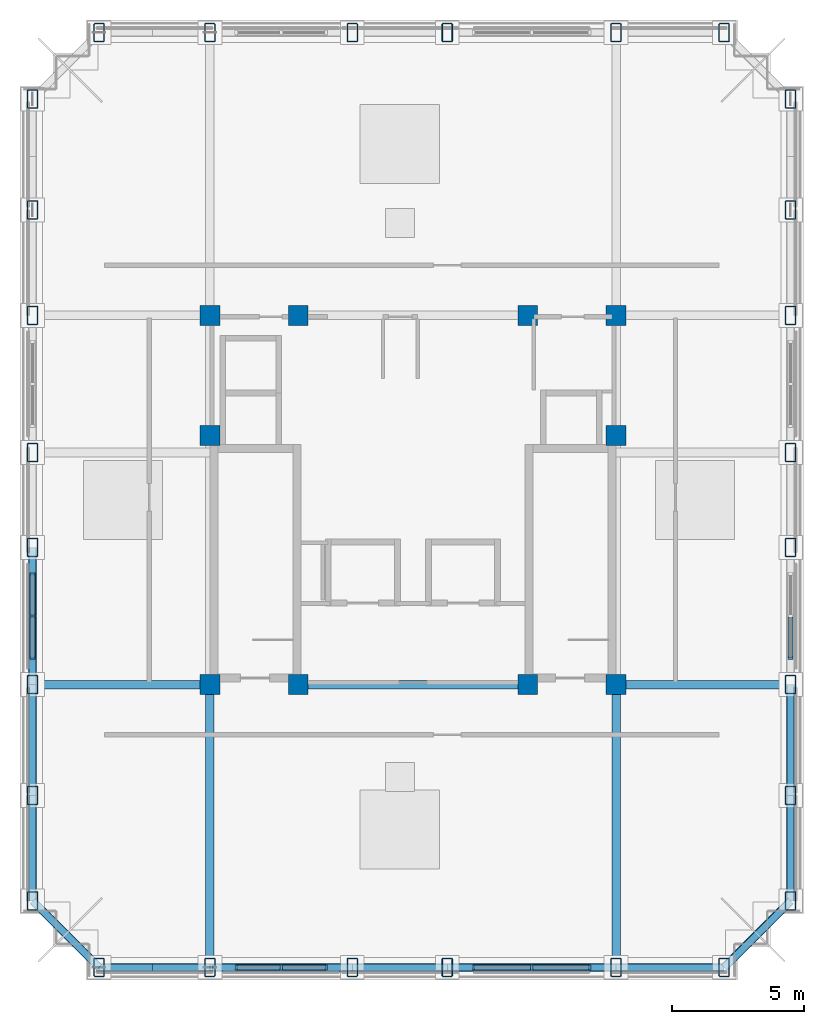
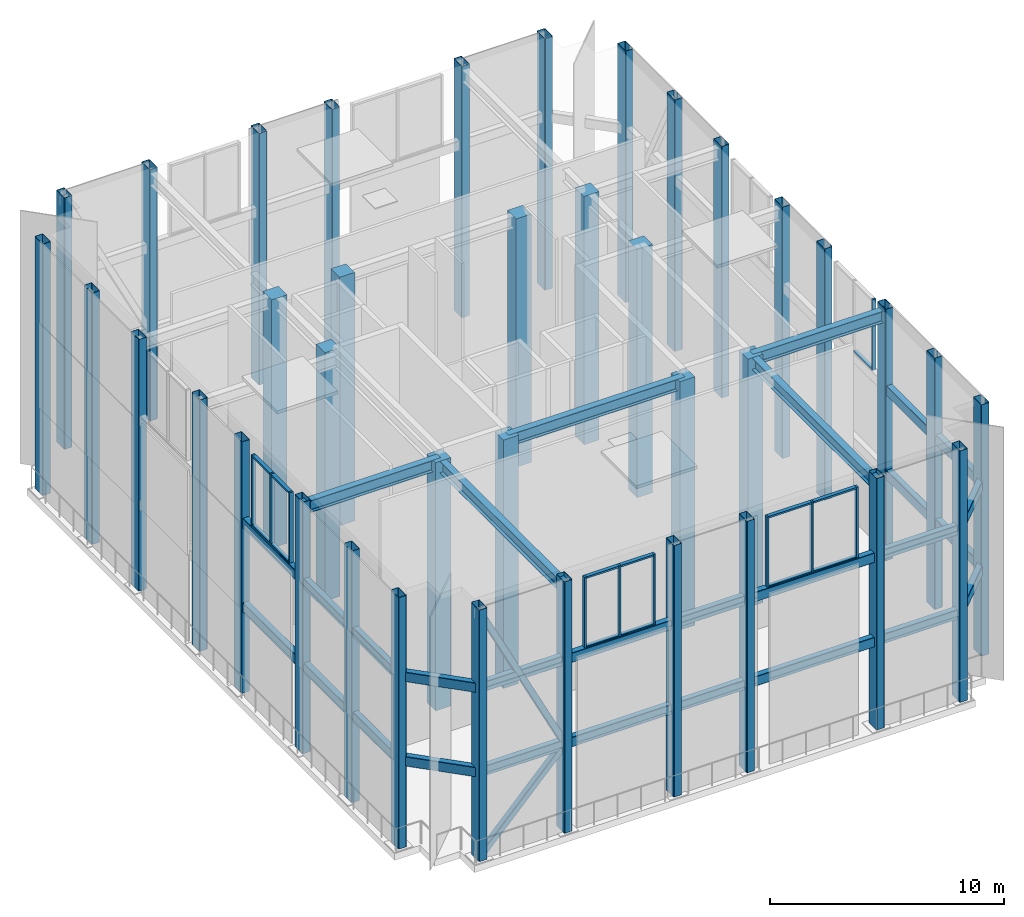
# One storey, part 1 of 7: 38 columns, 29 beams, 25 members, 4 elements without a shape of their own.
"""IFC4 building model written with IfcOpenShell, lengths in metres."""

from ifc_helpers import new_model, si_unit, derived_unit, direction, frame, origin, origin_2d, place, context, subcontext, project, spatial, rectangle, hollow_rectangle, i_section, extrude, material, material_profile, profile_set, type_object, element, aggregate, save


model = new_model("IFC4")

# Units and contexts
model_context = context("Model", 3, precision=1e-05, world=origin(), true_north=direction((0.0, 1.0)))
body_context = subcontext(model_context, "Body", "Model", "MODEL_VIEW")
ifc_project = project(units=[si_unit("LENGTHUNIT", "METRE"), si_unit("AREAUNIT", "SQUARE_METRE"), si_unit("VOLUMEUNIT", "CUBIC_METRE"), si_unit("PLANEANGLEUNIT", "RADIAN"), si_unit("MASSUNIT", "GRAM", prefix="KILO"), derived_unit("THERMALTRANSMITTANCEUNIT", [(si_unit("MASSUNIT", "GRAM", prefix="KILO"), 1), (si_unit("TIMEUNIT", "SECOND"), -3), (si_unit("THERMODYNAMICTEMPERATUREUNIT", "KELVIN"), -1)])], contexts=[model_context])

# Site, building, storey
site_placement = place(None, origin())
site = spatial("IfcSite", under=ifc_project, at=site_placement, CompositionType="ELEMENT")
building_placement = place(site_placement, origin())
building = spatial("IfcBuilding", under=site, at=building_placement, Name="Korrvale Station Residences", CompositionType="ELEMENT")
storey_placement = place(building_placement, frame((0.0, 0.0, 261.5)))
storey = spatial("IfcBuildingStorey", under=building, at=storey_placement, Name="L76 Crown", CompositionType="ELEMENT", Elevation=261.5)

# Columns
ifc_material_1 = material(Name="Concrete C50/60", Category="concrete")
ifc_material_profile_1 = material_profile(ifc_material_1, rectangle(XDim=0.75, YDim=0.75, at=origin_2d()), Name="RC750x750")
ifc_profile_set_1 = profile_set([ifc_material_profile_1], Name="Concrete C50/60")
column_type_1 = type_object("IfcColumnType", Name="COL-C-RC750x750-C5060", PredefinedType="COLUMN", material=ifc_profile_set_1)
for number, where, z_axis, x_axis, name in (
    (1, (17.800048828125, 15.0, 0.0), (0.0, 0.0, 1.0), (1.0, 0.0, 0.0), "L76 Crown Core Column 01"),
    (2, (21.14990234375, 15.0, 0.0), (0.0, 0.0, 1.0), (1.0, 0.0, 0.0), "L76 Crown Core Column 02"),
    (3, (29.85009765625, 15.0, 0.0), (0.0, 0.0, 1.0), (1.0, 0.0, 0.0), "L76 Crown Core Column 03"),
    (4, (33.199951171875, 15.0, 0.0), (0.0, 0.0, 1.0), (1.0, 0.0, 0.0), "L76 Crown Core Column 04"),
    (5, (17.800048828125, 29.0, 0.0), (0.0, 0.0, 1.0), (1.0, 0.0, 0.0), "L76 Crown Core Column 05"),
    (6, (21.14990234375, 29.0, 0.0), (0.0, 0.0, 1.0), (1.0, 0.0, 0.0), "L76 Crown Core Column 06"),
    (7, (29.85009765625, 29.0, 0.0), (0.0, 0.0, 1.0), (1.0, 0.0, 0.0), "L76 Crown Core Column 07"),
    (8, (33.199951171875, 29.0, 0.0), (0.0, 0.0, 1.0), (1.0, 0.0, 0.0), "L76 Crown Core Column 08"),
    (9, (17.800048828125, 24.449951171875, 0.0), (0.0, 0.0, 1.0), (1.0, 0.0, 0.0), "L76 Crown Core Column 09"),
    (10, (33.199951171875, 24.449951171875, 0.0), (0.0, 0.0, 1.0), (1.0, 0.0, 0.0), "L76 Crown Core Column 10"),
):
    element("IfcColumn", number, at=place(storey_placement, frame(where, z_axis=z_axis, x_axis=x_axis)), inside=storey, type_object=column_type_1, Name=name, PredefinedType="COLUMN", context=body_context, shape_type="SweptSolid", body=[
        extrude(rectangle(XDim=0.75, YDim=0.75, at=origin_2d()), origin(), (0.0, 0.0, 1.0), 12.949951171875),
    ])
ifc_material_2 = material(Name="Steel S355", Category="steel")
ifc_material_profile_2 = material_profile(ifc_material_2, hollow_rectangle(XDim=0.39990234375, YDim=0.699951171875, WallThickness=0.02001953125, InnerFilletRadius=0.02001953125, OuterFilletRadius=0.0400390625, at=origin_2d()), Name="HSS700x400x20")
ifc_profile_set_2 = profile_set([ifc_material_profile_2], Name="Steel S355")
column_type_2 = type_object("IfcColumnType", Name="COL-CFC-HSS700x400x20-S355", PredefinedType="USERDEFINED", material=ifc_profile_set_2)
for number, where, z_axis, x_axis, name in (
    (11, (13.60009765625, 4.280029296875, 0.034912109375), (0.0, 0.0, 1.0), (1.0, 0.0, 0.0), "Ring Crown Structural Post 01"),
    (12, (17.800048828125, 4.280029296875, 0.034912109375), (0.0, 0.0, 1.0), (1.0, 0.0, 0.0), "Ring Crown Structural Post 02"),
    (13, (23.199951171875, 4.280029296875, 0.034912109375), (0.0, 0.0, 1.0), (1.0, 0.0, 0.0), "Ring Crown Structural Post 03"),
    (14, (26.800048828125, 4.280029296875, 0.034912109375), (0.0, 0.0, 1.0), (1.0, 0.0, 0.0), "Ring Crown Structural Post 04"),
    (15, (33.199951171875, 4.280029296875, 0.034912109375), (0.0, 0.0, 1.0), (1.0, 0.0, 0.0), "Ring Crown Structural Post 05"),
    (16, (37.300048828125, 4.280029296875, 0.034912109375), (0.0, 0.0, 1.0), (1.0, 0.0, 0.0), "Ring Crown Structural Post 06"),
    (17, (13.60009765625, 39.719970703125, 0.034912109375), (0.0, 0.0, 1.0), (1.0, 0.0, 0.0), "Ring Crown Structural Post 07"),
    (18, (17.800048828125, 39.719970703125, 0.034912109375), (0.0, 0.0, 1.0), (1.0, 0.0, 0.0), "Ring Crown Structural Post 08"),
    (19, (23.199951171875, 39.719970703125, 0.034912109375), (0.0, 0.0, 1.0), (1.0, 0.0, 0.0), "Ring Crown Structural Post 09"),
    (20, (26.800048828125, 39.719970703125, 0.034912109375), (0.0, 0.0, 1.0), (1.0, 0.0, 0.0), "Ring Crown Structural Post 10"),
    (21, (33.199951171875, 39.719970703125, 0.034912109375), (0.0, 0.0, 1.0), (1.0, 0.0, 0.0), "Ring Crown Structural Post 11"),
    (22, (37.300048828125, 39.719970703125, 0.034912109375), (0.0, 0.0, 1.0), (1.0, 0.0, 0.0), "Ring Crown Structural Post 12"),
    (23, (11.080078125, 6.800048828125, 0.034912109375), (0.0, 0.0, 1.0), (1.0, 0.0, 0.0), "Ring Crown Structural Post 13"),
    (24, (11.080078125, 10.800048828125, 0.034912109375), (0.0, 0.0, 1.0), (1.0, 0.0, 0.0), "Ring Crown Structural Post 14"),
    (25, (11.080078125, 15.0, 0.034912109375), (0.0, 0.0, 1.0), (1.0, 0.0, 0.0), "Ring Crown Structural Post 15"),
    (26, (11.080078125, 20.199951171875, 0.034912109375), (0.0, 0.0, 1.0), (1.0, 0.0, 0.0), "Ring Crown Structural Post 16"),
    (27, (11.080078125, 23.800048828125, 0.034912109375), (0.0, 0.0, 1.0), (1.0, 0.0, 0.0), "Ring Crown Structural Post 17"),
    (28, (11.080078125, 29.0, 0.034912109375), (0.0, 0.0, 1.0), (1.0, 0.0, 0.0), "Ring Crown Structural Post 18"),
    (29, (11.080078125, 33.0, 0.034912109375), (0.0, 0.0, 1.0), (1.0, 0.0, 0.0), "Ring Crown Structural Post 19"),
    (30, (11.080078125, 37.199951171875, 0.034912109375), (0.0, 0.0, 1.0), (1.0, 0.0, 0.0), "Ring Crown Structural Post 20"),
    (31, (39.820068359375, 6.800048828125, 0.034912109375), (0.0, 0.0, 1.0), (1.0, 0.0, 0.0), "Ring Crown Structural Post 21"),
    (32, (39.820068359375, 10.800048828125, 0.034912109375), (0.0, 0.0, 1.0), (1.0, 0.0, 0.0), "Ring Crown Structural Post 22"),
    (33, (39.820068359375, 15.0, 0.034912109375), (0.0, 0.0, 1.0), (1.0, 0.0, 0.0), "Ring Crown Structural Post 23"),
    (34, (39.820068359375, 20.199951171875, 0.034912109375), (0.0, 0.0, 1.0), (1.0, 0.0, 0.0), "Ring Crown Structural Post 24"),
    (35, (39.820068359375, 23.800048828125, 0.034912109375), (0.0, 0.0, 1.0), (1.0, 0.0, 0.0), "Ring Crown Structural Post 25"),
    (36, (39.820068359375, 29.0, 0.034912109375), (0.0, 0.0, 1.0), (1.0, 0.0, 0.0), "Ring Crown Structural Post 26"),
    (37, (39.820068359375, 33.0, 0.034912109375), (0.0, 0.0, 1.0), (1.0, 0.0, 0.0), "Ring Crown Structural Post 27"),
    (38, (39.820068359375, 37.199951171875, 0.034912109375), (0.0, 0.0, 1.0), (1.0, 0.0, 0.0), "Ring Crown Structural Post 28"),
):
    element("IfcColumn", number, at=place(storey_placement, frame(where, z_axis=z_axis, x_axis=x_axis)), inside=storey, type_object=column_type_2, Name=name, ObjectType="CROWN FRAME", PredefinedType="USERDEFINED", context=body_context, shape_type="SweptSolid", body=[
        extrude(hollow_rectangle(XDim=0.39990234375, YDim=0.699951171875, WallThickness=0.02001953125, InnerFilletRadius=0.02001953125, OuterFilletRadius=0.0400390625, at=origin_2d()), origin(), (0.0, 0.0, 1.0), 13.114990234375),
    ])

# Beams
ifc_material_profile_3 = material_profile(ifc_material_2, i_section(OverallWidth=0.324951171875, OverallDepth=0.615966796875, WebThickness=0.013916015625, FlangeThickness=0.021484375, FilletRadius=0.01904296875, at=origin_2d()), Name="W610x174")
ifc_profile_set_3 = profile_set([ifc_material_profile_3], Name="Steel S355")
beam_type_1 = type_object("IfcBeamType", Name="BM-BM-W610x174-S355", PredefinedType="BEAM", material=ifc_profile_set_3)
for number, where, z_axis, x_axis, name in (
    (39, (17.800048828125, 4.280029296875, 12.64208984375), (0.0, 1.0, 0.0), (-1.0, 0.0, 0.0), "L76 Crown Roof Framing Girder 01"),
    (40, (33.199951171875, 4.280029296875, 12.64208984375), (0.0, 1.0, 0.0), (-1.0, 0.0, 0.0), "L76 Crown Roof Framing Girder 02"),
):
    element("IfcBeam", number, at=place(storey_placement, frame(where, z_axis=z_axis, x_axis=x_axis)), inside=storey, type_object=beam_type_1, Name=name, PredefinedType="BEAM", context=body_context, shape_type="SweptSolid", body=[
        extrude(i_section(OverallWidth=0.324951171875, OverallDepth=0.615966796875, WebThickness=0.013916015625, FlangeThickness=0.021484375, FilletRadius=0.01904296875, at=origin_2d()), origin(), (0.0, 0.0, 1.0), 10.719970703125),
    ])
beam_1_placement = place(storey_placement, frame((11.080078125, 15.0, 12.64208984375), z_axis=(1.0, 0.0, 0.0), x_axis=(0.0, 1.0, 0.0)))
element("IfcBeam", 41, at=beam_1_placement, inside=storey, type_object=beam_type_1, Name="L76 Crown Roof Framing Girder 05", PredefinedType="BEAM", context=body_context, shape_type="SweptSolid", body=[
    extrude(i_section(OverallWidth=0.324951171875, OverallDepth=0.615966796875, WebThickness=0.013916015625, FlangeThickness=0.021484375, FilletRadius=0.01904296875, at=origin_2d()), origin(), (0.0, 0.0, 1.0), 6.719970703125),
])
beam_2_placement = place(storey_placement, frame((33.199951171875, 15.0, 12.64208984375), z_axis=(1.0, 0.0, 0.0), x_axis=(0.0, 1.0, 0.0)))
element("IfcBeam", 42, at=beam_2_placement, inside=storey, type_object=beam_type_1, Name="L76 Crown Roof Framing Girder 06", PredefinedType="BEAM", context=body_context, shape_type="SweptSolid", body=[
    extrude(i_section(OverallWidth=0.324951171875, OverallDepth=0.615966796875, WebThickness=0.013916015625, FlangeThickness=0.021484375, FilletRadius=0.01904296875, at=origin_2d()), origin(), (0.0, 0.0, 1.0), 6.6201171875),
])
beam_3_placement = place(storey_placement, frame((21.14990234375, 15.0, 12.64208984375), z_axis=(1.0, 0.0, 0.0), x_axis=(0.0, 1.0, 0.0)))
element("IfcBeam", 43, at=beam_3_placement, inside=storey, type_object=beam_type_1, Name="L76 Crown Roof Framing Girder 09", PredefinedType="BEAM", context=body_context, shape_type="SweptSolid", body=[
    extrude(i_section(OverallWidth=0.324951171875, OverallDepth=0.615966796875, WebThickness=0.013916015625, FlangeThickness=0.021484375, FilletRadius=0.01904296875, at=origin_2d()), origin(), (0.0, 0.0, 1.0), 8.7001953125),
])
ifc_material_profile_4 = material_profile(ifc_material_2, hollow_rectangle(XDim=0.3046875, YDim=0.508056640625, WallThickness=0.015869140625, InnerFilletRadius=0.015869140625, OuterFilletRadius=0.03173828125, at=origin_2d()), Name="HSS508x305x16")
ifc_profile_set_4 = profile_set([ifc_material_profile_4], Name="Steel S355")
beam_type_2 = type_object("IfcBeamType", Name="BM-CFB-HSS508x305x16-S355", PredefinedType="USERDEFINED", material=ifc_profile_set_4)
for number, where, z_axis, x_axis, name in (
    (44, (13.60009765625, 4.280029296875, 4.5), (1.0, 0.0, 0.0), (0.0, 1.0, 0.0), "Ring Crown Intermediate Ring Beam M1-01"),
    (45, (13.60009765625, 4.280029296875, 8.89990234375), (1.0, 0.0, 0.0), (0.0, 1.0, 0.0), "Ring Crown Intermediate Ring Beam M2-01"),
):
    element("IfcBeam", number, at=place(storey_placement, frame(where, z_axis=z_axis, x_axis=x_axis)), inside=storey, type_object=beam_type_2, Name=name, ObjectType="CROWN FRAME", PredefinedType="USERDEFINED", context=body_context, shape_type="SweptSolid", body=[
        extrude(hollow_rectangle(XDim=0.3046875, YDim=0.508056640625, WallThickness=0.015869140625, InnerFilletRadius=0.015869140625, OuterFilletRadius=0.03173828125, at=origin_2d()), origin(), (0.0, 0.0, 1.0), 4.199951171875),
    ])
for number, where, z_axis, x_axis, name in (
    (46, (17.800048828125, 4.280029296875, 4.5), (1.0, 0.0, 0.0), (0.0, 1.0, 0.0), "Ring Crown Intermediate Ring Beam M1-02"),
    (47, (17.800048828125, 4.280029296875, 8.89990234375), (1.0, 0.0, 0.0), (0.0, 1.0, 0.0), "Ring Crown Intermediate Ring Beam M2-02"),
):
    element("IfcBeam", number, at=place(storey_placement, frame(where, z_axis=z_axis, x_axis=x_axis)), inside=storey, type_object=beam_type_2, Name=name, ObjectType="CROWN FRAME", PredefinedType="USERDEFINED", context=body_context, shape_type="SweptSolid", body=[
        extrude(hollow_rectangle(XDim=0.3046875, YDim=0.508056640625, WallThickness=0.015869140625, InnerFilletRadius=0.015869140625, OuterFilletRadius=0.03173828125, at=origin_2d()), origin(), (0.0, 0.0, 1.0), 5.39990234375),
    ])
for number, where, z_axis, x_axis, name in (
    (48, (23.199951171875, 4.280029296875, 4.5), (1.0, 0.0, 0.0), (0.0, 1.0, 0.0), "Ring Crown Intermediate Ring Beam M1-03"),
    (49, (23.199951171875, 4.280029296875, 8.89990234375), (1.0, 0.0, 0.0), (0.0, 1.0, 0.0), "Ring Crown Intermediate Ring Beam M2-03"),
):
    element("IfcBeam", number, at=place(storey_placement, frame(where, z_axis=z_axis, x_axis=x_axis)), inside=storey, type_object=beam_type_2, Name=name, ObjectType="CROWN FRAME", PredefinedType="USERDEFINED", context=body_context, shape_type="SweptSolid", body=[
        extrude(hollow_rectangle(XDim=0.3046875, YDim=0.508056640625, WallThickness=0.015869140625, InnerFilletRadius=0.015869140625, OuterFilletRadius=0.03173828125, at=origin_2d()), origin(), (0.0, 0.0, 1.0), 3.60009765625),
    ])
for number, where, z_axis, x_axis, name in (
    (50, (26.800048828125, 4.280029296875, 4.5), (1.0, 0.0, 0.0), (0.0, 1.0, 0.0), "Ring Crown Intermediate Ring Beam M1-04"),
    (51, (26.800048828125, 4.280029296875, 8.89990234375), (1.0, 0.0, 0.0), (0.0, 1.0, 0.0), "Ring Crown Intermediate Ring Beam M2-04"),
):
    element("IfcBeam", number, at=place(storey_placement, frame(where, z_axis=z_axis, x_axis=x_axis)), inside=storey, type_object=beam_type_2, Name=name, ObjectType="CROWN FRAME", PredefinedType="USERDEFINED", context=body_context, shape_type="SweptSolid", body=[
        extrude(hollow_rectangle(XDim=0.3046875, YDim=0.508056640625, WallThickness=0.015869140625, InnerFilletRadius=0.015869140625, OuterFilletRadius=0.03173828125, at=origin_2d()), origin(), (0.0, 0.0, 1.0), 6.39990234375),
    ])
for number, where, z_axis, x_axis, name in (
    (52, (33.199951171875, 4.280029296875, 4.5), (1.0, 0.0, 0.0), (0.0, 1.0, 0.0), "Ring Crown Intermediate Ring Beam M1-05"),
    (53, (33.199951171875, 4.280029296875, 8.89990234375), (1.0, 0.0, 0.0), (0.0, 1.0, 0.0), "Ring Crown Intermediate Ring Beam M2-05"),
):
    element("IfcBeam", number, at=place(storey_placement, frame(where, z_axis=z_axis, x_axis=x_axis)), inside=storey, type_object=beam_type_2, Name=name, ObjectType="CROWN FRAME", PredefinedType="USERDEFINED", context=body_context, shape_type="SweptSolid", body=[
        extrude(hollow_rectangle(XDim=0.3046875, YDim=0.508056640625, WallThickness=0.015869140625, InnerFilletRadius=0.015869140625, OuterFilletRadius=0.03173828125, at=origin_2d()), origin(), (0.0, 0.0, 1.0), 4.10009765625),
    ])
for number, where, z_axis, x_axis, name in (
    (54, (11.080078125, 6.800048828125, 4.5), (0.0, 1.0, 0.0), (-1.0, 0.0, 0.0), "Ring Crown Intermediate Ring Beam M1-11"),
    (55, (11.080078125, 6.800048828125, 8.89990234375), (0.0, 1.0, 0.0), (-1.0, 0.0, 0.0), "Ring Crown Intermediate Ring Beam M2-11"),
):
    element("IfcBeam", number, at=place(storey_placement, frame(where, z_axis=z_axis, x_axis=x_axis)), inside=storey, type_object=beam_type_2, Name=name, ObjectType="CROWN FRAME", PredefinedType="USERDEFINED", context=body_context, shape_type="SweptSolid", body=[
        extrude(hollow_rectangle(XDim=0.3046875, YDim=0.508056640625, WallThickness=0.015869140625, InnerFilletRadius=0.015869140625, OuterFilletRadius=0.03173828125, at=origin_2d()), origin(), (0.0, 0.0, 1.0), 4.0),
    ])
for number, where, z_axis, x_axis, name in (
    (56, (11.080078125, 10.800048828125, 4.5), (0.0, 1.0, 0.0), (-1.0, 0.0, 0.0), "Ring Crown Intermediate Ring Beam M1-12"),
    (57, (11.080078125, 10.800048828125, 8.89990234375), (0.0, 1.0, 0.0), (-1.0, 0.0, 0.0), "Ring Crown Intermediate Ring Beam M2-12"),
):
    element("IfcBeam", number, at=place(storey_placement, frame(where, z_axis=z_axis, x_axis=x_axis)), inside=storey, type_object=beam_type_2, Name=name, ObjectType="CROWN FRAME", PredefinedType="USERDEFINED", context=body_context, shape_type="SweptSolid", body=[
        extrude(hollow_rectangle(XDim=0.3046875, YDim=0.508056640625, WallThickness=0.015869140625, InnerFilletRadius=0.015869140625, OuterFilletRadius=0.03173828125, at=origin_2d()), origin(), (0.0, 0.0, 1.0), 4.199951171875),
    ])
for number, where, z_axis, x_axis, name in (
    (58, (11.080078125, 15.0, 4.5), (0.0, 1.0, 0.0), (-1.0, 0.0, 0.0), "Ring Crown Intermediate Ring Beam M1-13"),
    (59, (11.080078125, 15.0, 8.89990234375), (0.0, 1.0, 0.0), (-1.0, 0.0, 0.0), "Ring Crown Intermediate Ring Beam M2-13"),
):
    element("IfcBeam", number, at=place(storey_placement, frame(where, z_axis=z_axis, x_axis=x_axis)), inside=storey, type_object=beam_type_2, Name=name, ObjectType="CROWN FRAME", PredefinedType="USERDEFINED", context=body_context, shape_type="SweptSolid", body=[
        extrude(hollow_rectangle(XDim=0.3046875, YDim=0.508056640625, WallThickness=0.015869140625, InnerFilletRadius=0.015869140625, OuterFilletRadius=0.03173828125, at=origin_2d()), origin(), (0.0, 0.0, 1.0), 5.199951171875),
    ])
for number, where, z_axis, x_axis, name in (
    (60, (39.820068359375, 6.800048828125, 4.5), (0.0, 1.0, 0.0), (-1.0, 0.0, 0.0), "Ring Crown Intermediate Ring Beam M1-18"),
    (61, (39.820068359375, 6.800048828125, 8.89990234375), (0.0, 1.0, 0.0), (-1.0, 0.0, 0.0), "Ring Crown Intermediate Ring Beam M2-18"),
):
    element("IfcBeam", number, at=place(storey_placement, frame(where, z_axis=z_axis, x_axis=x_axis)), inside=storey, type_object=beam_type_2, Name=name, ObjectType="CROWN FRAME", PredefinedType="USERDEFINED", context=body_context, shape_type="SweptSolid", body=[
        extrude(hollow_rectangle(XDim=0.3046875, YDim=0.508056640625, WallThickness=0.015869140625, InnerFilletRadius=0.015869140625, OuterFilletRadius=0.03173828125, at=origin_2d()), origin(), (0.0, 0.0, 1.0), 4.0),
    ])
for number, where, z_axis, x_axis, name in (
    (62, (39.820068359375, 10.800048828125, 4.5), (0.0, 1.0, 0.0), (-1.0, 0.0, 0.0), "Ring Crown Intermediate Ring Beam M1-19"),
    (63, (39.820068359375, 10.800048828125, 8.89990234375), (0.0, 1.0, 0.0), (-1.0, 0.0, 0.0), "Ring Crown Intermediate Ring Beam M2-19"),
):
    element("IfcBeam", number, at=place(storey_placement, frame(where, z_axis=z_axis, x_axis=x_axis)), inside=storey, type_object=beam_type_2, Name=name, ObjectType="CROWN FRAME", PredefinedType="USERDEFINED", context=body_context, shape_type="SweptSolid", body=[
        extrude(hollow_rectangle(XDim=0.3046875, YDim=0.508056640625, WallThickness=0.015869140625, InnerFilletRadius=0.015869140625, OuterFilletRadius=0.03173828125, at=origin_2d()), origin(), (0.0, 0.0, 1.0), 4.199951171875),
    ])
for number, where, z_axis, x_axis, name in (
    (64, (13.60009765625, 4.280029296875, 4.5), (-0.707106781187, 0.707106781187, 0.0), (-0.707106781187, -0.707106781187, 0.0), "Ring Crown Intermediate Ring Beam M1-25"),
    (65, (13.60009765625, 4.280029296875, 8.89990234375), (-0.707106781187, 0.707106781187, 0.0), (-0.707106781187, -0.707106781187, 0.0), "Ring Crown Intermediate Ring Beam M2-25"),
    (66, (37.300048828125, 4.280029296875, 4.5), (0.707106781187, 0.707106781187, 0.0), (-0.707106781187, 0.707106781187, 0.0), "Ring Crown Intermediate Ring Beam M1-26"),
    (67, (37.300048828125, 4.280029296875, 8.89990234375), (0.707106781187, 0.707106781187, 0.0), (-0.707106781187, 0.707106781187, 0.0), "Ring Crown Intermediate Ring Beam M2-26"),
):
    element("IfcBeam", number, at=place(storey_placement, frame(where, z_axis=z_axis, x_axis=x_axis)), inside=storey, type_object=beam_type_2, Name=name, ObjectType="CROWN FRAME", PredefinedType="USERDEFINED", context=body_context, shape_type="SweptSolid", body=[
        extrude(hollow_rectangle(XDim=0.3046875, YDim=0.508056640625, WallThickness=0.015869140625, InnerFilletRadius=0.015869140625, OuterFilletRadius=0.03173828125, at=origin_2d()), origin(), (0.0, 0.0, 1.0), 3.56396484375),
    ])

# Curtain wall, members
ifc_material_3 = material(Name="Unitised thermally broken aluminium curtain wall with triple low-e IGU", Category="aluminium")
curtain_wall_type = type_object("IfcCurtainWallType", Name="CW-CRN-RNG", PredefinedType="NOTDEFINED", material=ifc_material_3)
curtain_wall_1_placement = place(storey_placement, origin())
curtain_wall_1 = element("IfcCurtainWall", 68, at=curtain_wall_1_placement, inside=storey, type_object=curtain_wall_type, Name="L76 Crown Curtain Wall CW6-RUN-1", PredefinedType="NOTDEFINED")
ifc_material_4 = material(Name="Extruded thermally broken aluminium mullion", Category="aluminium")
member_type_1 = type_object("IfcMemberType", Name="CW-CRN-RNG-M", PredefinedType="MULLION", material=ifc_material_4)
member_1_placement = place(storey_placement, frame((18.794921875, 4.280029296875, 9.1201171875), z_axis=(0.0, 0.0, 1.0), x_axis=(1.0, 0.0, 0.0)))
member_1 = element("IfcMember", 69, at=member_1_placement, type_object=member_type_1, Name="CW-CRN-RNG Mullion 1", PredefinedType="MULLION", context=body_context, shape_type="SweptSolid", body=[
    extrude(rectangle(XDim=0.090087890625, YDim=0.18505859375, at=origin_2d()), origin(), (0.0, 0.0, 1.0), 3.7099609375),
])
member_2_placement = place(storey_placement, frame((20.5, 4.280029296875, 9.1201171875), z_axis=(0.0, 0.0, 1.0), x_axis=(1.0, 0.0, 0.0)))
member_2 = element("IfcMember", 70, at=member_2_placement, type_object=member_type_1, Name="CW-CRN-RNG Mullion 2", PredefinedType="MULLION", context=body_context, shape_type="SweptSolid", body=[
    extrude(rectangle(XDim=0.090087890625, YDim=0.18505859375, at=origin_2d()), origin(), (0.0, 0.0, 1.0), 3.7099609375),
])
member_3_placement = place(storey_placement, frame((22.205078125, 4.280029296875, 9.1201171875), z_axis=(0.0, 0.0, 1.0), x_axis=(1.0, 0.0, 0.0)))
member_3 = element("IfcMember", 71, at=member_3_placement, type_object=member_type_1, Name="CW-CRN-RNG Mullion 3", PredefinedType="MULLION", context=body_context, shape_type="SweptSolid", body=[
    extrude(rectangle(XDim=0.090087890625, YDim=0.18505859375, at=origin_2d()), origin(), (0.0, 0.0, 1.0), 3.7099609375),
])

curtain_wall_2_placement = place(storey_placement, origin())
curtain_wall_2 = element("IfcCurtainWall", 72, at=curtain_wall_2_placement, inside=storey, type_object=curtain_wall_type, Name="L76 Crown Curtain Wall CW6-RUN-2", PredefinedType="NOTDEFINED")
member_4_placement = place(storey_placement, frame((27.794921875, 4.280029296875, 9.1201171875), z_axis=(0.0, 0.0, 1.0), x_axis=(1.0, 0.0, 0.0)))
member_4 = element("IfcMember", 73, at=member_4_placement, type_object=member_type_1, Name="CW-CRN-RNG Mullion 1", PredefinedType="MULLION", context=body_context, shape_type="SweptSolid", body=[
    extrude(rectangle(XDim=0.090087890625, YDim=0.18505859375, at=origin_2d()), origin(), (0.0, 0.0, 1.0), 3.7099609375),
])
member_5_placement = place(storey_placement, frame((30.0, 4.280029296875, 9.1201171875), z_axis=(0.0, 0.0, 1.0), x_axis=(1.0, 0.0, 0.0)))
member_5 = element("IfcMember", 74, at=member_5_placement, type_object=member_type_1, Name="CW-CRN-RNG Mullion 2", PredefinedType="MULLION", context=body_context, shape_type="SweptSolid", body=[
    extrude(rectangle(XDim=0.090087890625, YDim=0.18505859375, at=origin_2d()), origin(), (0.0, 0.0, 1.0), 3.7099609375),
])
member_6_placement = place(storey_placement, frame((32.205078125, 4.280029296875, 9.1201171875), z_axis=(0.0, 0.0, 1.0), x_axis=(1.0, 0.0, 0.0)))
member_6 = element("IfcMember", 75, at=member_6_placement, type_object=member_type_1, Name="CW-CRN-RNG Mullion 3", PredefinedType="MULLION", context=body_context, shape_type="SweptSolid", body=[
    extrude(rectangle(XDim=0.090087890625, YDim=0.18505859375, at=origin_2d()), origin(), (0.0, 0.0, 1.0), 3.7099609375),
])

curtain_wall_3_placement = place(storey_placement, origin())
curtain_wall_3 = element("IfcCurtainWall", 76, at=curtain_wall_3_placement, inside=storey, type_object=curtain_wall_type, Name="L76 Crown Curtain Wall CW6-RUN-5", PredefinedType="NOTDEFINED")
member_7_placement = place(storey_placement, frame((11.080078125, 15.9951171875, 9.1201171875), z_axis=(0.0, 0.0, 1.0), x_axis=(0.0, 1.0, 0.0)))
member_7 = element("IfcMember", 77, at=member_7_placement, type_object=member_type_1, Name="CW-CRN-RNG Mullion 1", PredefinedType="MULLION", context=body_context, shape_type="SweptSolid", body=[
    extrude(rectangle(XDim=0.090087890625, YDim=0.18505859375, at=origin_2d()), origin(), (0.0, 0.0, 1.0), 3.7099609375),
])
member_8_placement = place(storey_placement, frame((11.080078125, 17.60009765625, 9.1201171875), z_axis=(0.0, 0.0, 1.0), x_axis=(0.0, 1.0, 0.0)))
member_8 = element("IfcMember", 78, at=member_8_placement, type_object=member_type_1, Name="CW-CRN-RNG Mullion 2", PredefinedType="MULLION", context=body_context, shape_type="SweptSolid", body=[
    extrude(rectangle(XDim=0.090087890625, YDim=0.18505859375, at=origin_2d()), origin(), (0.0, 0.0, 1.0), 3.7099609375),
])
member_9_placement = place(storey_placement, frame((11.080078125, 19.205078125, 9.1201171875), z_axis=(0.0, 0.0, 1.0), x_axis=(0.0, 1.0, 0.0)))
member_9 = element("IfcMember", 79, at=member_9_placement, type_object=member_type_1, Name="CW-CRN-RNG Mullion 3", PredefinedType="MULLION", context=body_context, shape_type="SweptSolid", body=[
    extrude(rectangle(XDim=0.090087890625, YDim=0.18505859375, at=origin_2d()), origin(), (0.0, 0.0, 1.0), 3.7099609375),
])

# Curtain wall, member
curtain_wall_4_placement = place(storey_placement, origin())
curtain_wall_4 = element("IfcCurtainWall", 80, at=curtain_wall_4_placement, inside=storey, type_object=curtain_wall_type, Name="L76 Crown Curtain Wall CW6-RUN-7", PredefinedType="NOTDEFINED")
member_10_placement = place(storey_placement, frame((39.820068359375, 15.9951171875, 9.1201171875), z_axis=(0.0, 0.0, 1.0), x_axis=(0.0, 1.0, 0.0)))
member_10 = element("IfcMember", 81, at=member_10_placement, type_object=member_type_1, Name="CW-CRN-RNG Mullion 1", PredefinedType="MULLION", context=body_context, shape_type="SweptSolid", body=[
    extrude(rectangle(XDim=0.090087890625, YDim=0.18505859375, at=origin_2d()), origin(), (0.0, 0.0, 1.0), 3.7099609375),
])

# Member
ifc_material_5 = material(Name="Extruded thermally broken aluminium transom", Category="aluminium")
member_type_2 = type_object("IfcMemberType", Name="CW-CRN-RNG-T", PredefinedType="USERDEFINED", material=ifc_material_5)
member_11_placement = place(storey_placement, frame((19.625, 4.280029296875, 9.1201171875), z_axis=(0.0, 0.0, 1.0), x_axis=(1.0, 0.0, 0.0)))
member_11 = element("IfcMember", 82, at=member_11_placement, type_object=member_type_2, Name="CW-CRN-RNG Transom 1-1", ObjectType="TRANSOM", PredefinedType="USERDEFINED", context=body_context, shape_type="SweptSolid", body=[
    extrude(rectangle(XDim=1.659912109375, YDim=0.18505859375, at=origin_2d()), origin(), (0.0, 0.0, 1.0), 0.090087890625),
])

member_12_placement = place(storey_placement, frame((19.625, 4.280029296875, 12.73974609375), z_axis=(0.0, 0.0, 1.0), x_axis=(1.0, 0.0, 0.0)))
member_12 = element("IfcMember", 83, at=member_12_placement, type_object=member_type_2, Name="CW-CRN-RNG Transom 1-2", ObjectType="TRANSOM", PredefinedType="USERDEFINED", context=body_context, shape_type="SweptSolid", body=[
    extrude(rectangle(XDim=1.659912109375, YDim=0.18505859375, at=origin_2d()), origin(), (0.0, 0.0, 1.0), 0.090087890625),
])

member_13_placement = place(storey_placement, frame((21.375, 4.280029296875, 9.1201171875), z_axis=(0.0, 0.0, 1.0), x_axis=(1.0, 0.0, 0.0)))
member_13 = element("IfcMember", 84, at=member_13_placement, type_object=member_type_2, Name="CW-CRN-RNG Transom 2-1", ObjectType="TRANSOM", PredefinedType="USERDEFINED", context=body_context, shape_type="SweptSolid", body=[
    extrude(rectangle(XDim=1.659912109375, YDim=0.18505859375, at=origin_2d()), origin(), (0.0, 0.0, 1.0), 0.090087890625),
])

member_14_placement = place(storey_placement, frame((21.375, 4.280029296875, 12.73974609375), z_axis=(0.0, 0.0, 1.0), x_axis=(1.0, 0.0, 0.0)))
member_14 = element("IfcMember", 85, at=member_14_placement, type_object=member_type_2, Name="CW-CRN-RNG Transom 2-2", ObjectType="TRANSOM", PredefinedType="USERDEFINED", context=body_context, shape_type="SweptSolid", body=[
    extrude(rectangle(XDim=1.659912109375, YDim=0.18505859375, at=origin_2d()), origin(), (0.0, 0.0, 1.0), 0.090087890625),
])

aggregate(curtain_wall_1, [member_1, member_2, member_3, member_11, member_12, member_13, member_14])

member_15_placement = place(storey_placement, frame((28.875, 4.280029296875, 9.1201171875), z_axis=(0.0, 0.0, 1.0), x_axis=(1.0, 0.0, 0.0)))
member_15 = element("IfcMember", 86, at=member_15_placement, type_object=member_type_2, Name="CW-CRN-RNG Transom 1-1", ObjectType="TRANSOM", PredefinedType="USERDEFINED", context=body_context, shape_type="SweptSolid", body=[
    extrude(rectangle(XDim=2.159912109375, YDim=0.18505859375, at=origin_2d()), origin(), (0.0, 0.0, 1.0), 0.090087890625),
])

member_16_placement = place(storey_placement, frame((28.875, 4.280029296875, 12.73974609375), z_axis=(0.0, 0.0, 1.0), x_axis=(1.0, 0.0, 0.0)))
member_16 = element("IfcMember", 87, at=member_16_placement, type_object=member_type_2, Name="CW-CRN-RNG Transom 1-2", ObjectType="TRANSOM", PredefinedType="USERDEFINED", context=body_context, shape_type="SweptSolid", body=[
    extrude(rectangle(XDim=2.159912109375, YDim=0.18505859375, at=origin_2d()), origin(), (0.0, 0.0, 1.0), 0.090087890625),
])

member_17_placement = place(storey_placement, frame((31.125, 4.280029296875, 9.1201171875), z_axis=(0.0, 0.0, 1.0), x_axis=(1.0, 0.0, 0.0)))
member_17 = element("IfcMember", 88, at=member_17_placement, type_object=member_type_2, Name="CW-CRN-RNG Transom 2-1", ObjectType="TRANSOM", PredefinedType="USERDEFINED", context=body_context, shape_type="SweptSolid", body=[
    extrude(rectangle(XDim=2.159912109375, YDim=0.18505859375, at=origin_2d()), origin(), (0.0, 0.0, 1.0), 0.090087890625),
])

member_18_placement = place(storey_placement, frame((31.125, 4.280029296875, 12.73974609375), z_axis=(0.0, 0.0, 1.0), x_axis=(1.0, 0.0, 0.0)))
member_18 = element("IfcMember", 89, at=member_18_placement, type_object=member_type_2, Name="CW-CRN-RNG Transom 2-2", ObjectType="TRANSOM", PredefinedType="USERDEFINED", context=body_context, shape_type="SweptSolid", body=[
    extrude(rectangle(XDim=2.159912109375, YDim=0.18505859375, at=origin_2d()), origin(), (0.0, 0.0, 1.0), 0.090087890625),
])

aggregate(curtain_wall_2, [member_4, member_5, member_6, member_15, member_16, member_17, member_18])

member_19_placement = place(storey_placement, frame((11.080078125, 16.77490234375, 9.1201171875), z_axis=(0.0, 0.0, 1.0), x_axis=(0.0, 1.0, 0.0)))
member_19 = element("IfcMember", 90, at=member_19_placement, type_object=member_type_2, Name="CW-CRN-RNG Transom 1-1", ObjectType="TRANSOM", PredefinedType="USERDEFINED", context=body_context, shape_type="SweptSolid", body=[
    extrude(rectangle(XDim=1.56005859375, YDim=0.18505859375, at=origin_2d()), origin(), (0.0, 0.0, 1.0), 0.090087890625),
])

member_20_placement = place(storey_placement, frame((11.080078125, 16.77490234375, 12.73974609375), z_axis=(0.0, 0.0, 1.0), x_axis=(0.0, 1.0, 0.0)))
member_20 = element("IfcMember", 91, at=member_20_placement, type_object=member_type_2, Name="CW-CRN-RNG Transom 1-2", ObjectType="TRANSOM", PredefinedType="USERDEFINED", context=body_context, shape_type="SweptSolid", body=[
    extrude(rectangle(XDim=1.56005859375, YDim=0.18505859375, at=origin_2d()), origin(), (0.0, 0.0, 1.0), 0.090087890625),
])

member_21_placement = place(storey_placement, frame((11.080078125, 18.425048828125, 9.1201171875), z_axis=(0.0, 0.0, 1.0), x_axis=(0.0, 1.0, 0.0)))
member_21 = element("IfcMember", 92, at=member_21_placement, type_object=member_type_2, Name="CW-CRN-RNG Transom 2-1", ObjectType="TRANSOM", PredefinedType="USERDEFINED", context=body_context, shape_type="SweptSolid", body=[
    extrude(rectangle(XDim=1.56005859375, YDim=0.18505859375, at=origin_2d()), origin(), (0.0, 0.0, 1.0), 0.090087890625),
])

member_22_placement = place(storey_placement, frame((11.080078125, 18.425048828125, 12.73974609375), z_axis=(0.0, 0.0, 1.0), x_axis=(0.0, 1.0, 0.0)))
member_22 = element("IfcMember", 93, at=member_22_placement, type_object=member_type_2, Name="CW-CRN-RNG Transom 2-2", ObjectType="TRANSOM", PredefinedType="USERDEFINED", context=body_context, shape_type="SweptSolid", body=[
    extrude(rectangle(XDim=1.56005859375, YDim=0.18505859375, at=origin_2d()), origin(), (0.0, 0.0, 1.0), 0.090087890625),
])

aggregate(curtain_wall_3, [member_7, member_8, member_9, member_19, member_20, member_21, member_22])

member_23_placement = place(storey_placement, frame((39.820068359375, 16.77490234375, 9.1201171875), z_axis=(0.0, 0.0, 1.0), x_axis=(0.0, 1.0, 0.0)))
member_23 = element("IfcMember", 94, at=member_23_placement, type_object=member_type_2, Name="CW-CRN-RNG Transom 1-1", ObjectType="TRANSOM", PredefinedType="USERDEFINED", context=body_context, shape_type="SweptSolid", body=[
    extrude(rectangle(XDim=1.56005859375, YDim=0.18505859375, at=origin_2d()), origin(), (0.0, 0.0, 1.0), 0.090087890625),
])

aggregate(curtain_wall_4, [member_10, member_23])

# Members
ifc_material_profile_5 = material_profile(ifc_material_2, hollow_rectangle(XDim=0.3046875, YDim=0.3046875, WallThickness=0.015869140625, InnerFilletRadius=0.015869140625, OuterFilletRadius=0.03173828125, at=origin_2d()), Name="HSS305x305x16")
ifc_profile_set_5 = profile_set([ifc_material_profile_5], Name="Steel S355")
member_type_3 = type_object("IfcMemberType", Name="MBR-BR-CF-HSS305x305x16", PredefinedType="BRACE", material=ifc_profile_set_5)
member_24_placement = place(storey_placement, frame((13.60009765625, 4.280029296875, 0.06005859375), z_axis=(0.687200423661, 0.0, 0.726467877969), x_axis=(0.0, 1.0, 0.0)))
element("IfcMember", 95, at=member_24_placement, inside=storey, type_object=member_type_3, Name="Ring Crown Frame Diagonal Brace 01A", PredefinedType="BRACE", context=body_context, shape_type="SweptSolid", body=[
    extrude(hollow_rectangle(XDim=0.3046875, YDim=0.3046875, WallThickness=0.015869140625, InnerFilletRadius=0.015869140625, OuterFilletRadius=0.03173828125, at=origin_2d()), origin(), (0.0, 0.0, 1.0), 6.111572265625),
])
member_25_placement = place(storey_placement, frame((17.800048828125, 4.280029296875, 4.5), z_axis=(-0.450636651034, 0.0, 0.892707459779), x_axis=(0.0, -1.0, 0.0)))
element("IfcMember", 96, at=member_25_placement, inside=storey, type_object=member_type_3, Name="Ring Crown Frame Diagonal Brace 01B", PredefinedType="BRACE", context=body_context, shape_type="SweptSolid", body=[
    extrude(hollow_rectangle(XDim=0.3046875, YDim=0.3046875, WallThickness=0.015869140625, InnerFilletRadius=0.015869140625, OuterFilletRadius=0.03173828125, at=origin_2d()), origin(), (0.0, 0.0, 1.0), 9.320068359375),
])

save(model, "model.ifc")
